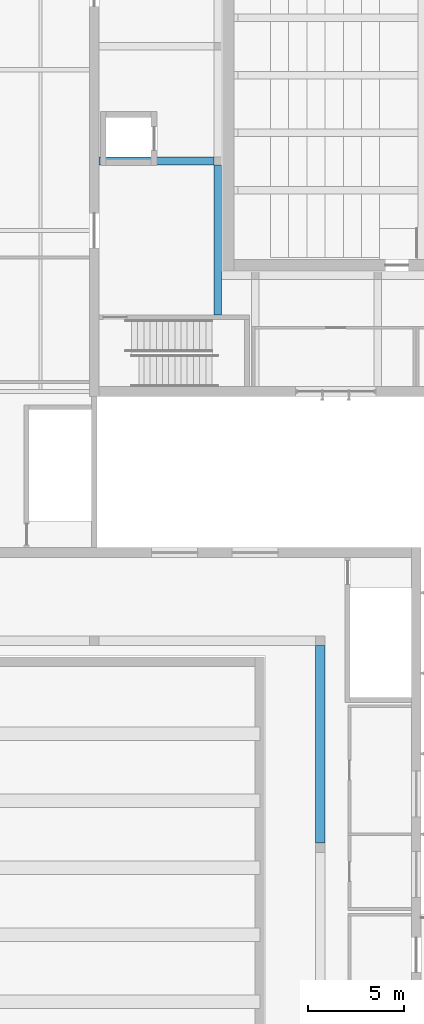
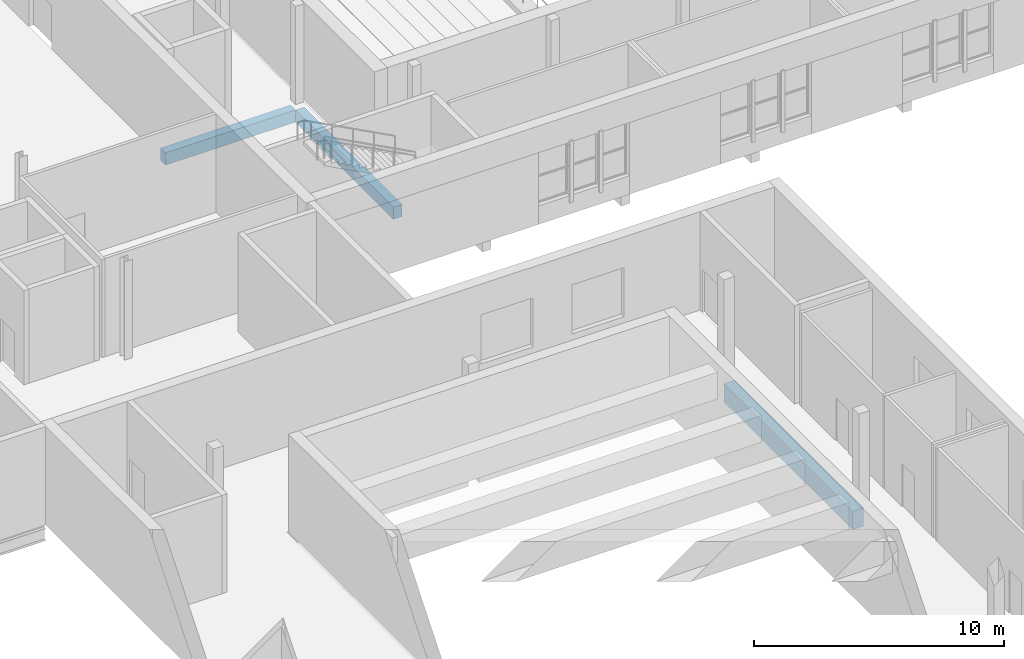
# One storey, part 22 of 116: 3 beams.
"""IFC4 building model written with IfcOpenShell, lengths in metres."""

from ifc_helpers import new_model, si_unit, direction, frame, origin, origin_2d, place, context, subcontext, project, spatial, rectangle, extrude, material, material_profile, profile_set, type_object, element, save


model = new_model("IFC4")

# Units and contexts
model_context = context("Model", 3, precision=1e-05, world=origin(), true_north=direction((0.0, 1.0)))
body_context = subcontext(model_context, "Body", "Model", "MODEL_VIEW")
ifc_project = project(units=[si_unit("LENGTHUNIT", "METRE"), si_unit("AREAUNIT", "SQUARE_METRE"), si_unit("VOLUMEUNIT", "CUBIC_METRE"), si_unit("PLANEANGLEUNIT", "RADIAN"), si_unit("MASSUNIT", "GRAM", prefix="KILO")], contexts=[model_context])

# Site, building, storey
site_placement = place(None, origin())
site = spatial("IfcSite", under=ifc_project, at=site_placement, CompositionType="ELEMENT")
building_placement = place(site_placement, origin())
building = spatial("IfcBuilding", under=site, at=building_placement, Name="Ljudholm Concert House", CompositionType="ELEMENT")
storey_placement = place(building_placement, frame((0.0, 0.0, 10.199951171875)))
storey = spatial("IfcBuildingStorey", under=building, at=storey_placement, Name="L02", CompositionType="ELEMENT", Elevation=10.199951171875)

# Beams
ifc_material_1 = material(Name="Concrete 6,500 psi", Category="concrete")
ifc_material_profile_1 = material_profile(ifc_material_1, rectangle(XDim=0.39990234375, YDim=0.60009765625, at=origin_2d()), Name="RC BEAM 400x600")
ifc_profile_set_1 = profile_set([ifc_material_profile_1], Name="Concrete 6,500 psi")
beam_type_1 = type_object("IfcBeamType", Name="RC BEAM 400x600", PredefinedType="BEAM", material=ifc_profile_set_1)
beam_1_placement = place(storey_placement, frame((35.449951171875, 66.429931640625, -0.550048828125), z_axis=(-1.0, 0.0, 0.0), x_axis=(0.0, -1.0, 0.0)))
element("IfcBeam", 1, at=beam_1_placement, inside=storey, type_object=beam_type_1, Name="Ring cross beam", PredefinedType="BEAM", context=body_context, shape_type="SweptSolid", body=[
    extrude(rectangle(XDim=0.39990234375, YDim=0.60009765625, at=origin_2d()), origin(), (0.0, 0.0, 1.0), 6.0),
])
beam_2_placement = place(storey_placement, frame((35.64990234375, 58.39990234375, -0.550048828125), z_axis=(0.0, 1.0, 0.0), x_axis=(-1.0, 0.0, 0.0)))
element("IfcBeam", 2, at=beam_2_placement, inside=storey, type_object=beam_type_1, Name="Ring beam", PredefinedType="BEAM", context=body_context, shape_type="SweptSolid", body=[
    extrude(rectangle(XDim=0.39990234375, YDim=0.60009765625, at=origin_2d()), origin(), (0.0, 0.0, 1.0), 7.830078125),
])
ifc_material_2 = material(Name="Concrete 6,500 psi", Category="concrete")
ifc_material_profile_2 = material_profile(ifc_material_2, rectangle(XDim=0.5, YDim=0.89990234375, at=origin_2d()), Name="RC BEAM 500x900")
ifc_profile_set_2 = profile_set([ifc_material_profile_2], Name="Concrete 6,500 psi")
beam_type_2 = type_object("IfcBeamType", Name="RC BEAM 500x900", PredefinedType="BEAM", material=ifc_profile_set_2)
beam_3_placement = place(storey_placement, frame((41.0, 30.85009765625, -0.699951171875), z_axis=(0.0, 1.0, 0.0), x_axis=(-1.0, 0.0, 0.0)))
element("IfcBeam", 3, at=beam_3_placement, inside=storey, type_object=beam_type_2, Name="Ring beam", PredefinedType="BEAM", context=body_context, shape_type="SweptSolid", body=[
    extrude(rectangle(XDim=0.5, YDim=0.89990234375, at=origin_2d()), origin(), (0.0, 0.0, 1.0), 10.2998046875),
])

save(model, "model.ifc")
